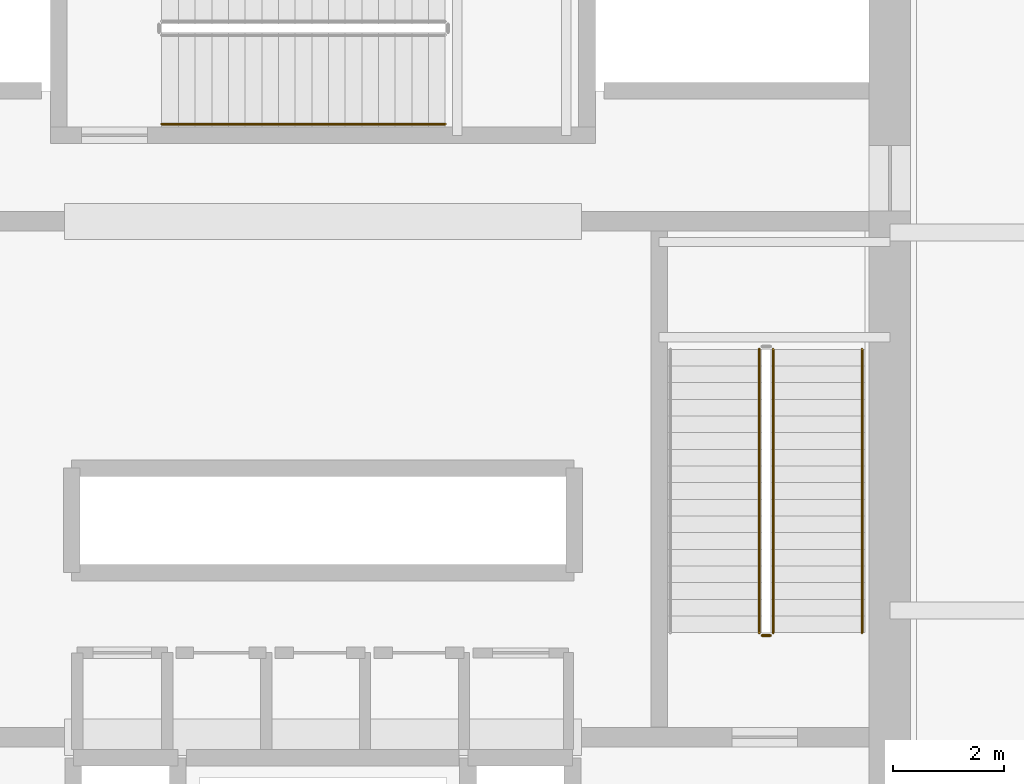
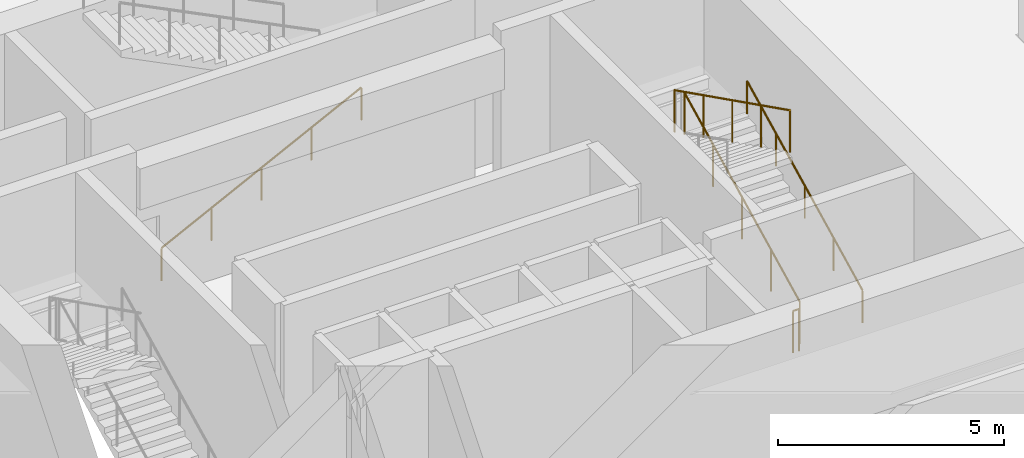
# One storey, part 29 of 35: 5 railings.
"""IFC4 building model written with IfcOpenShell, lengths in metres."""

import ifcopenshell
import ifcopenshell.guid

model = None  # the IFC model being written
_history = None  # IfcOwnerHistory: only IFC2X3 demands one
_inside = {}  # id of a spatial element -> (the spatial element, [elements in it])
_under = {}  # id of a project, library or spatial element -> (it, [spatial elements below it])
_declared = {}  # id of a project -> (the project, [libraries it declares])
_typed = {}  # id of a type object -> (the type object, [elements of that type])
_made_of = {}  # id of a material, layer set ... -> (it, [elements and type objects made of it])


def new_model(schema):
    """Start an empty IFC model of exactly this schema.

    Asked for "IFC4X3", IfcOpenShell would pick the latest addendum, in which some entities
    have other attributes; the version numbers below select the first issue.
    IFC2X3 requires an IfcOwnerHistory on every rooted entity: one is made here for all.
    """
    global model, _history
    if schema == "IFC4X3":
        model = ifcopenshell.file(schema_version=(4, 3, 0, 0))
    else:
        model = ifcopenshell.file(schema=schema)
    _inside.clear()
    _under.clear()
    _declared.clear()
    _typed.clear()
    _made_of.clear()
    _history = None
    if model.schema == "IFC2X3":
        org = make("IfcOrganization", Name="unknown")
        user = make(
            "IfcPersonAndOrganization",
            ThePerson=make("IfcPerson", FamilyName="unknown"),
            TheOrganization=org,
        )
        app = make(
            "IfcApplication",
            ApplicationDeveloper=org,
            Version="unknown",
            ApplicationFullName="unknown",
            ApplicationIdentifier="unknown",
        )
        _history = make(
            "IfcOwnerHistory",
            OwningUser=user,
            OwningApplication=app,
            ChangeAction="ADDED",
            CreationDate=0,
        )
    return model


def make(cls, **values):
    """One entity of the class cls with the attributes given. An attribute that is None is left unset."""
    return model.create_entity(
        cls, **{name: value for name, value in values.items() if value is not None}
    )


def rooted(cls, **values):
    """An entity with a GlobalId (a new one), such as an element, a storey or a relation."""
    return make(cls, GlobalId=ifcopenshell.guid.new(), OwnerHistory=_history, **values)


def si_unit(unit_type, name, prefix=None):
    """IfcSIUnit, for example si_unit("LENGTHUNIT", "METRE", prefix="MILLI")."""
    return make("IfcSIUnit", UnitType=unit_type, Prefix=prefix, Name=name)


def assignment(units):
    """IfcUnitAssignment: the units of a project."""
    return None if units is None else make("IfcUnitAssignment", Units=units)


def point(xyz):
    """IfcCartesianPoint."""
    return None if xyz is None else make("IfcCartesianPoint", Coordinates=xyz)


def direction(xyz):
    """IfcDirection."""
    return None if xyz is None else make("IfcDirection", DirectionRatios=xyz)


def frame(location, z_axis=None, x_axis=None):
    """IfcAxis2Placement3D, a coordinate frame: its origin and axes. An axis left out is left unset."""
    return make(
        "IfcAxis2Placement3D",
        Location=point(location),
        Axis=direction(z_axis),
        RefDirection=direction(x_axis),
    )


def frame_2d(location, x_axis=None):
    """IfcAxis2Placement2D, a coordinate frame in the plane: its origin and x axis."""
    return make(
        "IfcAxis2Placement2D", Location=point(location), RefDirection=direction(x_axis)
    )


def origin():
    """The frame at (0, 0, 0) with its axes left unset."""
    return frame((0.0, 0.0, 0.0))


def origin_2d():
    """The frame at (0, 0) in the plane with its x axis left unset."""
    return frame_2d((0.0, 0.0))


def place(relative_to, where):
    """IfcLocalPlacement: puts the frame where relative to a parent placement (None: the world)."""
    return make(
        "IfcLocalPlacement", PlacementRelTo=relative_to, RelativePlacement=where
    )


def context(
    kind, dimensions, precision=None, world=None, true_north=None, identifier=None
):
    """IfcGeometricRepresentationContext, for example the 3D "Model" context."""
    return make(
        "IfcGeometricRepresentationContext",
        ContextIdentifier=identifier,
        ContextType=kind,
        CoordinateSpaceDimension=dimensions,
        Precision=precision,
        WorldCoordinateSystem=world,
        TrueNorth=true_north,
    )


def subcontext(parent, identifier, kind, view, scale=None):
    """IfcGeometricRepresentationSubContext, for example "Body" below "Model"."""
    return make(
        "IfcGeometricRepresentationSubContext",
        ContextIdentifier=identifier,
        ContextType=kind,
        ParentContext=parent,
        TargetScale=scale,
        TargetView=view,
    )


def project(units=None, contexts=None):
    """IfcProject with its units and contexts."""
    return rooted(
        "IfcProject",
        Name="project",
        RepresentationContexts=contexts,
        UnitsInContext=assignment(units),
    )


def spatial(cls, under=None, at=None, **own):
    """A site, building, storey or space (cls), placed at a placement, below another one or the project."""
    s = rooted(cls, ObjectPlacement=at, **own)
    if under is not None:
        _under.setdefault(under.id(), (under, []))[1].append(s)
    return s


def profile(cls, at=None, kind="AREA", **sizes):
    """A parametric profile (cls). Its sizes go by their IFC names, for example OverallWidth=200.0."""
    return make(cls, ProfileType=kind, Position=at, **sizes)


def circle(**sizes):
    """IfcCircleProfileDef."""
    return profile("IfcCircleProfileDef", **sizes)


def extrude(swept, where, along, depth):
    """IfcExtrudedAreaSolid: the profile swept, set in the frame where, extruded along a direction by depth."""
    return make(
        "IfcExtrudedAreaSolid",
        SweptArea=swept,
        Position=where,
        ExtrudedDirection=direction(along),
        Depth=depth,
    )


def shape(context_of_items, identifier, shape_type, items):
    """IfcShapeRepresentation: the items that make up one representation, for example the "Body"."""
    return make(
        "IfcShapeRepresentation",
        ContextOfItems=context_of_items,
        RepresentationIdentifier=identifier,
        RepresentationType=shape_type,
        Items=items,
    )


def material(Name=None, Category=None):
    """IfcMaterial."""
    return make("IfcMaterial", Name=Name, Category=Category)


def made_of(thing, what):
    """Note that an element or type object is made of a material, layer set ...; save() writes the relation."""
    if what is not None:
        _made_of.setdefault(what.id(), (what, []))[1].append(thing)
    return thing


def type_object(cls, material=None, **own):
    """A type object (cls), such as IfcWallType, which elements share."""
    return made_of(rooted(cls, **own), material)


def element(
    cls,
    number,
    at=None,
    inside=None,
    cuts=None,
    type_object=None,
    material=None,
    context=None,
    identifier="Body",
    shape_type=None,
    held_by="IfcProductDefinitionShape",
    body=None,
    shapes=None,
    **own,
):
    """One element of the class cls, such as IfcWall. Its Tag is "e" and its number.

    at: its placement. inside: the storey or other place that contains it. cuts: it is an
    opening in that element (IfcRelVoidsElement). A single representation is given by context,
    identifier, shape_type and body (its items); several are given by shapes. held_by: the class
    of the entity that holds the representations. save() writes the other relations.
    """
    e = rooted(cls, Tag="e%d" % number, ObjectPlacement=at, **own)
    if body is not None:
        shapes = [shape(context, identifier, shape_type, body)]
    if shapes is not None:
        e.Representation = make(held_by, Representations=shapes)
    if inside is not None:
        _inside.setdefault(inside.id(), (inside, []))[1].append(e)
    if cuts is not None:
        rooted(
            "IfcRelVoidsElement", RelatingBuildingElement=cuts, RelatedOpeningElement=e
        )
    if type_object is not None:
        _typed.setdefault(type_object.id(), (type_object, []))[1].append(e)
    return made_of(e, material)


def aggregate(whole, parts):
    """IfcRelAggregates: a whole, such as a stair, and the parts it consists of."""
    return rooted("IfcRelAggregates", RelatingObject=whole, RelatedObjects=parts)


def save(model, path):
    """Write the relations noted so far, then the file.

    IfcRelAggregates (storeys below a building ...), IfcRelContainedInSpatialStructure (elements
    in a storey), IfcRelDefinesByType, IfcRelAssociatesMaterial and IfcRelDeclares: one each for
    every whole, place, type object, material and project.
    """
    for whole, parts in _under.values():
        aggregate(whole, parts)
    for where, things in _inside.values():
        rooted(
            "IfcRelContainedInSpatialStructure",
            RelatedElements=things,
            RelatingStructure=where,
        )
    for kind, things in _typed.values():
        rooted("IfcRelDefinesByType", RelatedObjects=things, RelatingType=kind)
    for what, things in _made_of.values():
        rooted("IfcRelAssociatesMaterial", RelatedObjects=things, RelatingMaterial=what)
    for by, libraries in _declared.values():
        rooted("IfcRelDeclares", RelatingContext=by, RelatedDefinitions=libraries)
    model.write(path)


model = new_model("IFC4")

# Units and contexts
model_context = context("Model", 3, precision=1e-05, world=origin(), true_north=direction((0.0, 1.0)))
body_context = subcontext(model_context, "Body", "Model", "MODEL_VIEW")
ifc_project = project(units=[si_unit("LENGTHUNIT", "METRE"), si_unit("AREAUNIT", "SQUARE_METRE"), si_unit("VOLUMEUNIT", "CUBIC_METRE"), si_unit("PLANEANGLEUNIT", "RADIAN"), si_unit("MASSUNIT", "GRAM", prefix="KILO")], contexts=[model_context])

# Site, building, storey
site_placement = place(None, origin())
site = spatial("IfcSite", under=ifc_project, at=site_placement, CompositionType="ELEMENT")
building_placement = place(site_placement, origin())
building = spatial("IfcBuilding", under=site, at=building_placement, Name="Punatoya Terracotta Tower", CompositionType="ELEMENT")
storey_placement = place(building_placement, frame((0.0, 0.0, 16.800048828125)))
storey = spatial("IfcBuildingStorey", under=building, at=storey_placement, Name="L03", CompositionType="ELEMENT", Elevation=16.800048828125)

# Railings
ifc_material = material(Name="Steel S355", Category="steel")
railing_type_1 = type_object("IfcRailingType", Name="RLG-GRD-1150", PredefinedType="GUARDRAIL", material=ifc_material)
railing_1_placement = place(storey_placement, frame((8.10009765625, -3.800048828125, 0.14990234375)))
element("IfcRailing", 1, at=railing_1_placement, inside=storey, type_object=railing_type_1, Name="L03 ST-2 stair guard 1", PredefinedType="GUARDRAIL", context=body_context, shape_type="SweptSolid", body=[
    extrude(circle(Radius=0.02392578125, at=origin_2d()), frame((0.0, 0.0, 1.1259765625), z_axis=(0.0, 0.894427191, 0.4472135955), x_axis=(-1.0, 0.0, 0.0)), (0.0, 0.0, 1.0), 5.7021484375),
    extrude(circle(Radius=0.02099609375, at=origin_2d()), origin(), (0.0, 0.0, 1.0), 1.101806640625),
    extrude(circle(Radius=0.02099609375, at=origin_2d()), frame((0.0, 1.27490234375, 0.637451171875)), (0.0, 0.0, 1.0), 1.101806640625),
    extrude(circle(Radius=0.02099609375, at=origin_2d()), frame((0.0, 2.550048828125, 1.27490234375)), (0.0, 0.0, 1.0), 1.101806640625),
    extrude(circle(Radius=0.02099609375, at=origin_2d()), frame((0.0, 3.8251953125, 1.91259765625)), (0.0, 0.0, 1.0), 1.101806640625),
    extrude(circle(Radius=0.02099609375, at=origin_2d()), frame((0.0, 5.10009765625, 2.550048828125)), (0.0, 0.0, 1.0), 1.101806640625),
])
railing_2_placement = place(storey_placement, frame((7.85009765625, 1.300048828125, 2.849853515625)))
element("IfcRailing", 2, at=railing_2_placement, inside=storey, type_object=railing_type_1, Name="L03 ST-2 stair guard 3", PredefinedType="GUARDRAIL", context=body_context, shape_type="SweptSolid", body=[
    extrude(circle(Radius=0.02392578125, at=origin_2d()), frame((0.0, 0.0, 1.1259765625), z_axis=(0.0, -0.894427191, 0.4472135955), x_axis=(1.0, 0.0, 0.0)), (0.0, 0.0, 1.0), 5.7021484375),
    extrude(circle(Radius=0.02099609375, at=origin_2d()), origin(), (0.0, 0.0, 1.0), 1.101806640625),
    extrude(circle(Radius=0.02099609375, at=origin_2d()), frame((0.0, -1.27490234375, 0.637451171875)), (0.0, 0.0, 1.0), 1.101806640625),
    extrude(circle(Radius=0.02099609375, at=origin_2d()), frame((0.0, -2.550048828125, 1.27490234375)), (0.0, 0.0, 1.0), 1.101806640625),
    extrude(circle(Radius=0.02099609375, at=origin_2d()), frame((0.0, -3.8251953125, 1.91259765625)), (0.0, 0.0, 1.0), 1.101806640625),
    extrude(circle(Radius=0.02099609375, at=origin_2d()), frame((0.0, -5.10009765625, 2.550048828125)), (0.0, 0.0, 1.0), 1.101806640625),
])
railing_3_placement = place(storey_placement, frame((8.050048828125, -3.85009765625, 0.0)))
element("IfcRailing", 3, at=railing_3_placement, inside=storey, type_object=railing_type_1, Name="L03 ST-2 stair guard 4", PredefinedType="GUARDRAIL", context=body_context, shape_type="SweptSolid", body=[
    extrude(circle(Radius=0.02392578125, at=origin_2d()), frame((0.0, 0.0, 1.1259765625), z_axis=(-1.0, 0.0, 0.0), x_axis=(0.0, -1.0, 0.0)), (0.0, 0.0, 1.0), 0.150146484375),
    extrude(circle(Radius=0.02099609375, at=origin_2d()), origin(), (0.0, 0.0, 1.0), 1.101806640625),
    extrude(circle(Radius=0.02099609375, at=origin_2d()), frame((-0.150146484375, 0.0, 0.0)), (0.0, 0.0, 1.0), 1.101806640625),
])
railing_type_2 = type_object("IfcRailingType", Name="RLG-HND-900", PredefinedType="HANDRAIL", material=ifc_material)
railing_4_placement = place(storey_placement, frame((9.699951171875, -3.800048828125, 0.14990234375)))
element("IfcRailing", 4, at=railing_4_placement, inside=storey, type_object=railing_type_2, Name="L03 ST-2 stair handrail 1", PredefinedType="HANDRAIL", context=body_context, shape_type="SweptSolid", body=[
    extrude(circle(Radius=0.02392578125, at=origin_2d()), frame((0.0, 0.0, 0.8759765625), z_axis=(0.0, 0.894427191, 0.4472135955), x_axis=(-1.0, 0.0, 0.0)), (0.0, 0.0, 1.0), 5.7021484375),
    extrude(circle(Radius=0.02099609375, at=origin_2d()), origin(), (0.0, 0.0, 1.0), 0.851806640625),
    extrude(circle(Radius=0.02099609375, at=origin_2d()), frame((0.0, 1.27490234375, 0.637451171875)), (0.0, 0.0, 1.0), 0.851806640625),
    extrude(circle(Radius=0.02099609375, at=origin_2d()), frame((0.0, 2.550048828125, 1.27490234375)), (0.0, 0.0, 1.0), 0.851806640625),
    extrude(circle(Radius=0.02099609375, at=origin_2d()), frame((0.0, 3.8251953125, 1.91259765625)), (0.0, 0.0, 1.0), 0.851806640625),
    extrude(circle(Radius=0.02099609375, at=origin_2d()), frame((0.0, 5.10009765625, 2.550048828125)), (0.0, 0.0, 1.0), 0.851806640625),
])
railing_5_placement = place(storey_placement, frame((-2.89990234375, 5.35009765625, 0.14990234375)))
element("IfcRailing", 5, at=railing_5_placement, inside=storey, type_object=railing_type_2, Name="L03 ST-3 stair handrail 1", PredefinedType="HANDRAIL", context=body_context, shape_type="SweptSolid", body=[
    extrude(circle(Radius=0.02392578125, at=origin_2d()), frame((0.0, 0.0, 0.8759765625), z_axis=(0.894418627299, 0.0, 0.447230722492), x_axis=(0.0, 1.0, 0.0)), (0.0, 0.0, 1.0), 5.701904296875),
    extrude(circle(Radius=0.02099609375, at=origin_2d()), origin(), (0.0, 0.0, 1.0), 0.851806640625),
    extrude(circle(Radius=0.02099609375, at=origin_2d()), frame((1.27490234375, 0.0, 0.637451171875)), (0.0, 0.0, 1.0), 0.851806640625),
    extrude(circle(Radius=0.02099609375, at=origin_2d()), frame((2.5498046875, 0.0, 1.27490234375)), (0.0, 0.0, 1.0), 0.851806640625),
    extrude(circle(Radius=0.02099609375, at=origin_2d()), frame((3.824951171875, 0.0, 1.91259765625)), (0.0, 0.0, 1.0), 0.851806640625),
    extrude(circle(Radius=0.02099609375, at=origin_2d()), frame((5.099853515625, 0.0, 2.550048828125)), (0.0, 0.0, 1.0), 0.851806640625),
])

save(model, "model.ifc")
